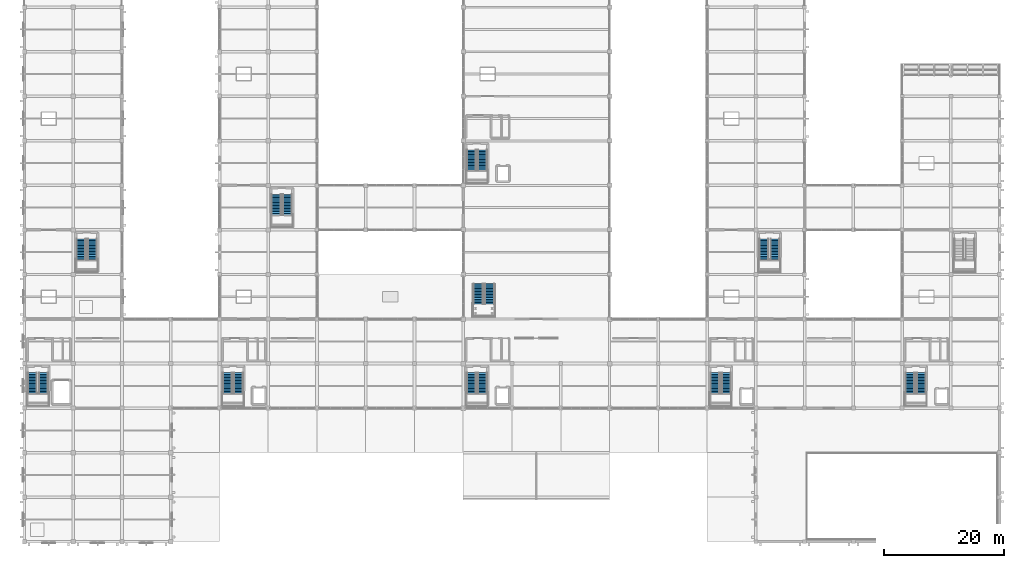
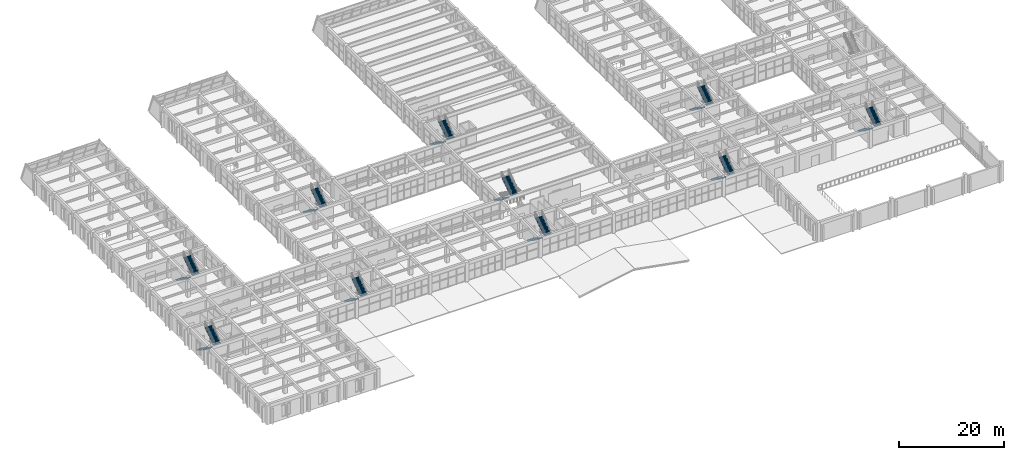
# One storey, part 153 of 161: 20 stair flights, 10 elements without a shape of their own.
"""IFC4 building model written with IfcOpenShell, lengths in metres."""

from ifc_helpers import new_model, si_unit, direction, frame, origin, place, context, subcontext, project, spatial, polyline, outline, extrude, material, type_object, element, aggregate, save


model = new_model("IFC4")

# Units and contexts
model_context = context("Model", 3, precision=1e-05, world=origin(), true_north=direction((0.0, 1.0)))
body_context = subcontext(model_context, "Body", "Model", "MODEL_VIEW")
ifc_project = project(units=[si_unit("LENGTHUNIT", "METRE"), si_unit("AREAUNIT", "SQUARE_METRE"), si_unit("VOLUMEUNIT", "CUBIC_METRE"), si_unit("PLANEANGLEUNIT", "RADIAN"), si_unit("MASSUNIT", "GRAM", prefix="KILO")], contexts=[model_context])

# Site, building, storey
site_placement = place(None, origin())
site = spatial("IfcSite", under=ifc_project, at=site_placement, CompositionType="ELEMENT")
building_placement = place(site_placement, origin())
building = spatial("IfcBuilding", under=site, at=building_placement, Name="Cimatlan Art Gallery", CompositionType="ELEMENT")
storey_placement = place(building_placement, frame((0.0, 0.0, 5.39990234375)))
storey = spatial("IfcBuildingStorey", under=building, at=storey_placement, Name="L01", CompositionType="ELEMENT", Elevation=5.39990234375)

# Stair, stair flights
ifc_material = material(Name="Concrete C35/45", Category="concrete")
stair_type_1 = type_object("IfcStairType", Name="STR-HALF-155-480", PredefinedType="HALF_TURN_STAIR", material=ifc_material)
stair_1_placement = place(storey_placement, origin())
stair_1 = element("IfcStair", 1, at=stair_1_placement, inside=storey, type_object=stair_type_1, Name="STR-C1-L01", PredefinedType="HALF_TURN_STAIR")
stair_flight_type_1 = type_object("IfcStairFlightType", Name="STF-155-14R-260", PredefinedType="STRAIGHT", material=ifc_material)
stair_flight_1_placement = place(storey_placement, frame((3.3349609375, 29.780029296875, 0.0), z_axis=(0.0, 0.0, 1.0), x_axis=(0.0, -1.0, 0.0)))
stair_flight_1 = element("IfcStairFlight", 2, at=stair_flight_1_placement, type_object=stair_flight_type_1, Name="STR-C1-L01-F1", NumberOfRisers=14, NumberOfTreads=13, PredefinedType="STRAIGHT", RiserHeight=0.171429, TreadLength=0.26, context=body_context, shape_type="SweptSolid", body=[
    extrude(outline(polyline([(0.0, 0.0), (0.0, 0.17138671875), (0.260009765625, 0.17138671875), (0.260009765625, 0.3427734375), (0.52001953125, 0.3427734375), (0.52001953125, 0.514404296875), (0.780029296875, 0.514404296875), (0.780029296875, 0.685791015625), (1.0400390625, 0.685791015625), (1.0400390625, 0.857177734375), (1.300048828125, 0.857177734375), (1.300048828125, 1.028564453125), (1.56005859375, 1.028564453125), (1.56005859375, 1.199951171875), (1.820068359375, 1.199951171875), (1.820068359375, 1.371337890625), (2.080078125, 1.371337890625), (2.080078125, 1.54296875), (2.340087890625, 1.54296875), (2.340087890625, 1.71435546875), (2.60009765625, 1.71435546875), (2.60009765625, 1.8857421875), (2.860107421875, 1.8857421875), (2.860107421875, 2.05712890625), (3.1201171875, 2.05712890625), (3.1201171875, 2.228515625), (3.3798828125, 2.228515625), (3.3798828125, 2.39990234375), (3.3798828125, 2.012939453125), (0.326904296875, 0.0), (0.0, 0.0)])), frame((0.0, 0.77490234375, 0.0), z_axis=(0.0, -1.0, 0.0), x_axis=(1.0, 0.0, 0.0)), (0.0, 0.0, 1.0), 1.550048828125),
])
stair_flight_2_placement = place(storey_placement, frame((5.205078125, 26.39990234375, 2.400146484375), z_axis=(0.0, 0.0, 1.0), x_axis=(0.0, 1.0, 0.0)))
stair_flight_2 = element("IfcStairFlight", 3, at=stair_flight_2_placement, type_object=stair_flight_type_1, Name="STR-C1-L01-F2", NumberOfRisers=14, NumberOfTreads=13, PredefinedType="STRAIGHT", RiserHeight=0.171429, TreadLength=0.26, context=body_context, shape_type="SweptSolid", body=[
    extrude(outline(polyline([(0.0, 0.0), (0.0, 0.17138671875), (0.260009765625, 0.17138671875), (0.260009765625, 0.3427734375), (0.52001953125, 0.3427734375), (0.52001953125, 0.514404296875), (0.780029296875, 0.514404296875), (0.780029296875, 0.685791015625), (1.0400390625, 0.685791015625), (1.0400390625, 0.857177734375), (1.300048828125, 0.857177734375), (1.300048828125, 1.028564453125), (1.56005859375, 1.028564453125), (1.56005859375, 1.199951171875), (1.820068359375, 1.199951171875), (1.820068359375, 1.371337890625), (2.080078125, 1.371337890625), (2.080078125, 1.54296875), (2.340087890625, 1.54296875), (2.340087890625, 1.71435546875), (2.60009765625, 1.71435546875), (2.60009765625, 1.8857421875), (2.860107421875, 1.8857421875), (2.860107421875, 2.05712890625), (3.1201171875, 2.05712890625), (3.1201171875, 2.228515625), (3.3798828125, 2.228515625), (3.3798828125, 2.39990234375), (3.3798828125, 2.012939453125), (0.326904296875, 0.0), (0.0, 0.0)])), frame((0.0, 0.77490234375, 0.0), z_axis=(0.0, -1.0, 0.0), x_axis=(1.0, 0.0, 0.0)), (0.0, 0.0, 1.0), 1.550048828125),
])
aggregate(stair_1, [stair_flight_1, stair_flight_2])

stair_2_placement = place(storey_placement, origin())
stair_2 = element("IfcStair", 4, at=stair_2_placement, inside=storey, type_object=stair_type_1, Name="STR-C2-L01", PredefinedType="HALF_TURN_STAIR")
stair_flight_3_placement = place(storey_placement, frame((35.735107421875, 29.780029296875, 0.0), z_axis=(0.0, 0.0, 1.0), x_axis=(0.0, -1.0, 0.0)))
stair_flight_3 = element("IfcStairFlight", 5, at=stair_flight_3_placement, type_object=stair_flight_type_1, Name="STR-C2-L01-F1", NumberOfRisers=14, NumberOfTreads=13, PredefinedType="STRAIGHT", RiserHeight=0.171429, TreadLength=0.26, context=body_context, shape_type="SweptSolid", body=[
    extrude(outline(polyline([(0.0, 0.0), (0.0, 0.17138671875), (0.260009765625, 0.17138671875), (0.260009765625, 0.3427734375), (0.52001953125, 0.3427734375), (0.52001953125, 0.514404296875), (0.780029296875, 0.514404296875), (0.780029296875, 0.685791015625), (1.0400390625, 0.685791015625), (1.0400390625, 0.857177734375), (1.300048828125, 0.857177734375), (1.300048828125, 1.028564453125), (1.56005859375, 1.028564453125), (1.56005859375, 1.199951171875), (1.820068359375, 1.199951171875), (1.820068359375, 1.371337890625), (2.080078125, 1.371337890625), (2.080078125, 1.54296875), (2.340087890625, 1.54296875), (2.340087890625, 1.71435546875), (2.60009765625, 1.71435546875), (2.60009765625, 1.8857421875), (2.860107421875, 1.8857421875), (2.860107421875, 2.05712890625), (3.1201171875, 2.05712890625), (3.1201171875, 2.228515625), (3.3798828125, 2.228515625), (3.3798828125, 2.39990234375), (3.3798828125, 2.012939453125), (0.326904296875, 0.0), (0.0, 0.0)])), frame((0.0, 0.77490234375, 0.0), z_axis=(0.0, -1.0, 0.0), x_axis=(1.0, 0.0, 0.0)), (0.0, 0.0, 1.0), 1.550048828125),
])
stair_flight_4_placement = place(storey_placement, frame((37.60498046875, 26.39990234375, 2.400146484375), z_axis=(0.0, 0.0, 1.0), x_axis=(0.0, 1.0, 0.0)))
stair_flight_4 = element("IfcStairFlight", 6, at=stair_flight_4_placement, type_object=stair_flight_type_1, Name="STR-C2-L01-F2", NumberOfRisers=14, NumberOfTreads=13, PredefinedType="STRAIGHT", RiserHeight=0.171429, TreadLength=0.26, context=body_context, shape_type="SweptSolid", body=[
    extrude(outline(polyline([(0.0, 0.0), (0.0, 0.17138671875), (0.260009765625, 0.17138671875), (0.260009765625, 0.3427734375), (0.52001953125, 0.3427734375), (0.52001953125, 0.514404296875), (0.780029296875, 0.514404296875), (0.780029296875, 0.685791015625), (1.0400390625, 0.685791015625), (1.0400390625, 0.857177734375), (1.300048828125, 0.857177734375), (1.300048828125, 1.028564453125), (1.56005859375, 1.028564453125), (1.56005859375, 1.199951171875), (1.820068359375, 1.199951171875), (1.820068359375, 1.371337890625), (2.080078125, 1.371337890625), (2.080078125, 1.54296875), (2.340087890625, 1.54296875), (2.340087890625, 1.71435546875), (2.60009765625, 1.71435546875), (2.60009765625, 1.8857421875), (2.860107421875, 1.8857421875), (2.860107421875, 2.05712890625), (3.1201171875, 2.05712890625), (3.1201171875, 2.228515625), (3.3798828125, 2.228515625), (3.3798828125, 2.39990234375), (3.3798828125, 2.012939453125), (0.326904296875, 0.0), (0.0, 0.0)])), frame((0.0, 0.77490234375, 0.0), z_axis=(0.0, -1.0, 0.0), x_axis=(1.0, 0.0, 0.0)), (0.0, 0.0, 1.0), 1.550048828125),
])
aggregate(stair_2, [stair_flight_3, stair_flight_4])

stair_3_placement = place(storey_placement, origin())
stair_3 = element("IfcStair", 7, at=stair_3_placement, inside=storey, type_object=stair_type_1, Name="STR-C3-L01", PredefinedType="HALF_TURN_STAIR")
stair_flight_5_placement = place(storey_placement, frame((76.235107421875, 29.780029296875, 0.0), z_axis=(0.0, 0.0, 1.0), x_axis=(0.0, -1.0, 0.0)))
stair_flight_5 = element("IfcStairFlight", 8, at=stair_flight_5_placement, type_object=stair_flight_type_1, Name="STR-C3-L01-F1", NumberOfRisers=14, NumberOfTreads=13, PredefinedType="STRAIGHT", RiserHeight=0.171429, TreadLength=0.26, context=body_context, shape_type="SweptSolid", body=[
    extrude(outline(polyline([(0.0, 0.0), (0.0, 0.17138671875), (0.260009765625, 0.17138671875), (0.260009765625, 0.3427734375), (0.52001953125, 0.3427734375), (0.52001953125, 0.514404296875), (0.780029296875, 0.514404296875), (0.780029296875, 0.685791015625), (1.0400390625, 0.685791015625), (1.0400390625, 0.857177734375), (1.300048828125, 0.857177734375), (1.300048828125, 1.028564453125), (1.56005859375, 1.028564453125), (1.56005859375, 1.199951171875), (1.820068359375, 1.199951171875), (1.820068359375, 1.371337890625), (2.080078125, 1.371337890625), (2.080078125, 1.54296875), (2.340087890625, 1.54296875), (2.340087890625, 1.71435546875), (2.60009765625, 1.71435546875), (2.60009765625, 1.8857421875), (2.860107421875, 1.8857421875), (2.860107421875, 2.05712890625), (3.1201171875, 2.05712890625), (3.1201171875, 2.228515625), (3.3798828125, 2.228515625), (3.3798828125, 2.39990234375), (3.3798828125, 2.012939453125), (0.326904296875, 0.0), (0.0, 0.0)])), frame((0.0, 0.77490234375, 0.0), z_axis=(0.0, -1.0, 0.0), x_axis=(1.0, 0.0, 0.0)), (0.0, 0.0, 1.0), 1.550048828125),
])
stair_flight_6_placement = place(storey_placement, frame((78.10498046875, 26.39990234375, 2.400146484375), z_axis=(0.0, 0.0, 1.0), x_axis=(0.0, 1.0, 0.0)))
stair_flight_6 = element("IfcStairFlight", 9, at=stair_flight_6_placement, type_object=stair_flight_type_1, Name="STR-C3-L01-F2", NumberOfRisers=14, NumberOfTreads=13, PredefinedType="STRAIGHT", RiserHeight=0.171429, TreadLength=0.26, context=body_context, shape_type="SweptSolid", body=[
    extrude(outline(polyline([(0.0, 0.0), (0.0, 0.17138671875), (0.260009765625, 0.17138671875), (0.260009765625, 0.3427734375), (0.52001953125, 0.3427734375), (0.52001953125, 0.514404296875), (0.780029296875, 0.514404296875), (0.780029296875, 0.685791015625), (1.0400390625, 0.685791015625), (1.0400390625, 0.857177734375), (1.300048828125, 0.857177734375), (1.300048828125, 1.028564453125), (1.56005859375, 1.028564453125), (1.56005859375, 1.199951171875), (1.820068359375, 1.199951171875), (1.820068359375, 1.371337890625), (2.080078125, 1.371337890625), (2.080078125, 1.54296875), (2.340087890625, 1.54296875), (2.340087890625, 1.71435546875), (2.60009765625, 1.71435546875), (2.60009765625, 1.8857421875), (2.860107421875, 1.8857421875), (2.860107421875, 2.05712890625), (3.1201171875, 2.05712890625), (3.1201171875, 2.228515625), (3.3798828125, 2.228515625), (3.3798828125, 2.39990234375), (3.3798828125, 2.012939453125), (0.326904296875, 0.0), (0.0, 0.0)])), frame((0.0, 0.77490234375, 0.0), z_axis=(0.0, -1.0, 0.0), x_axis=(1.0, 0.0, 0.0)), (0.0, 0.0, 1.0), 1.550048828125),
])
aggregate(stair_3, [stair_flight_5, stair_flight_6])

stair_4_placement = place(storey_placement, origin())
stair_4 = element("IfcStair", 10, at=stair_4_placement, inside=storey, type_object=stair_type_1, Name="STR-C4-L01", PredefinedType="HALF_TURN_STAIR")
stair_flight_7_placement = place(storey_placement, frame((116.735107421875, 29.780029296875, 0.0), z_axis=(0.0, 0.0, 1.0), x_axis=(0.0, -1.0, 0.0)))
stair_flight_7 = element("IfcStairFlight", 11, at=stair_flight_7_placement, type_object=stair_flight_type_1, Name="STR-C4-L01-F1", NumberOfRisers=14, NumberOfTreads=13, PredefinedType="STRAIGHT", RiserHeight=0.171429, TreadLength=0.26, context=body_context, shape_type="SweptSolid", body=[
    extrude(outline(polyline([(0.0, 0.0), (0.0, 0.17138671875), (0.260009765625, 0.17138671875), (0.260009765625, 0.3427734375), (0.52001953125, 0.3427734375), (0.52001953125, 0.514404296875), (0.780029296875, 0.514404296875), (0.780029296875, 0.685791015625), (1.0400390625, 0.685791015625), (1.0400390625, 0.857177734375), (1.300048828125, 0.857177734375), (1.300048828125, 1.028564453125), (1.56005859375, 1.028564453125), (1.56005859375, 1.199951171875), (1.820068359375, 1.199951171875), (1.820068359375, 1.371337890625), (2.080078125, 1.371337890625), (2.080078125, 1.54296875), (2.340087890625, 1.54296875), (2.340087890625, 1.71435546875), (2.60009765625, 1.71435546875), (2.60009765625, 1.8857421875), (2.860107421875, 1.8857421875), (2.860107421875, 2.05712890625), (3.1201171875, 2.05712890625), (3.1201171875, 2.228515625), (3.3798828125, 2.228515625), (3.3798828125, 2.39990234375), (3.3798828125, 2.012939453125), (0.326904296875, 0.0), (0.0, 0.0)])), frame((0.0, 0.77490234375, 0.0), z_axis=(0.0, -1.0, 0.0), x_axis=(1.0, 0.0, 0.0)), (0.0, 0.0, 1.0), 1.550048828125),
])
stair_flight_8_placement = place(storey_placement, frame((118.60498046875, 26.39990234375, 2.400146484375), z_axis=(0.0, 0.0, 1.0), x_axis=(0.0, 1.0, 0.0)))
stair_flight_8 = element("IfcStairFlight", 12, at=stair_flight_8_placement, type_object=stair_flight_type_1, Name="STR-C4-L01-F2", NumberOfRisers=14, NumberOfTreads=13, PredefinedType="STRAIGHT", RiserHeight=0.171429, TreadLength=0.26, context=body_context, shape_type="SweptSolid", body=[
    extrude(outline(polyline([(0.0, 0.0), (0.0, 0.17138671875), (0.260009765625, 0.17138671875), (0.260009765625, 0.3427734375), (0.52001953125, 0.3427734375), (0.52001953125, 0.514404296875), (0.780029296875, 0.514404296875), (0.780029296875, 0.685791015625), (1.0400390625, 0.685791015625), (1.0400390625, 0.857177734375), (1.300048828125, 0.857177734375), (1.300048828125, 1.028564453125), (1.56005859375, 1.028564453125), (1.56005859375, 1.199951171875), (1.820068359375, 1.199951171875), (1.820068359375, 1.371337890625), (2.080078125, 1.371337890625), (2.080078125, 1.54296875), (2.340087890625, 1.54296875), (2.340087890625, 1.71435546875), (2.60009765625, 1.71435546875), (2.60009765625, 1.8857421875), (2.860107421875, 1.8857421875), (2.860107421875, 2.05712890625), (3.1201171875, 2.05712890625), (3.1201171875, 2.228515625), (3.3798828125, 2.228515625), (3.3798828125, 2.39990234375), (3.3798828125, 2.012939453125), (0.326904296875, 0.0), (0.0, 0.0)])), frame((0.0, 0.77490234375, 0.0), z_axis=(0.0, -1.0, 0.0), x_axis=(1.0, 0.0, 0.0)), (0.0, 0.0, 1.0), 1.550048828125),
])
aggregate(stair_4, [stair_flight_7, stair_flight_8])

stair_5_placement = place(storey_placement, origin())
stair_5 = element("IfcStair", 13, at=stair_5_placement, inside=storey, type_object=stair_type_1, Name="STR-C5-L01", PredefinedType="HALF_TURN_STAIR")
stair_flight_9_placement = place(storey_placement, frame((149.135009765625, 29.780029296875, 0.0), z_axis=(0.0, 0.0, 1.0), x_axis=(0.0, -1.0, 0.0)))
stair_flight_9 = element("IfcStairFlight", 14, at=stair_flight_9_placement, type_object=stair_flight_type_1, Name="STR-C5-L01-F1", NumberOfRisers=14, NumberOfTreads=13, PredefinedType="STRAIGHT", RiserHeight=0.171429, TreadLength=0.26, context=body_context, shape_type="SweptSolid", body=[
    extrude(outline(polyline([(0.0, 0.0), (0.0, 0.17138671875), (0.260009765625, 0.17138671875), (0.260009765625, 0.3427734375), (0.52001953125, 0.3427734375), (0.52001953125, 0.514404296875), (0.780029296875, 0.514404296875), (0.780029296875, 0.685791015625), (1.0400390625, 0.685791015625), (1.0400390625, 0.857177734375), (1.300048828125, 0.857177734375), (1.300048828125, 1.028564453125), (1.56005859375, 1.028564453125), (1.56005859375, 1.199951171875), (1.820068359375, 1.199951171875), (1.820068359375, 1.371337890625), (2.080078125, 1.371337890625), (2.080078125, 1.54296875), (2.340087890625, 1.54296875), (2.340087890625, 1.71435546875), (2.60009765625, 1.71435546875), (2.60009765625, 1.8857421875), (2.860107421875, 1.8857421875), (2.860107421875, 2.05712890625), (3.1201171875, 2.05712890625), (3.1201171875, 2.228515625), (3.3798828125, 2.228515625), (3.3798828125, 2.39990234375), (3.3798828125, 2.012939453125), (0.326904296875, 0.0), (0.0, 0.0)])), frame((0.0, 0.77490234375, 0.0), z_axis=(0.0, -1.0, 0.0), x_axis=(1.0, 0.0, 0.0)), (0.0, 0.0, 1.0), 1.550048828125),
])
stair_flight_10_placement = place(storey_placement, frame((151.0048828125, 26.39990234375, 2.400146484375), z_axis=(0.0, 0.0, 1.0), x_axis=(0.0, 1.0, 0.0)))
stair_flight_10 = element("IfcStairFlight", 15, at=stair_flight_10_placement, type_object=stair_flight_type_1, Name="STR-C5-L01-F2", NumberOfRisers=14, NumberOfTreads=13, PredefinedType="STRAIGHT", RiserHeight=0.171429, TreadLength=0.26, context=body_context, shape_type="SweptSolid", body=[
    extrude(outline(polyline([(0.0, 0.0), (0.0, 0.17138671875), (0.260009765625, 0.17138671875), (0.260009765625, 0.3427734375), (0.52001953125, 0.3427734375), (0.52001953125, 0.514404296875), (0.780029296875, 0.514404296875), (0.780029296875, 0.685791015625), (1.0400390625, 0.685791015625), (1.0400390625, 0.857177734375), (1.300048828125, 0.857177734375), (1.300048828125, 1.028564453125), (1.56005859375, 1.028564453125), (1.56005859375, 1.199951171875), (1.820068359375, 1.199951171875), (1.820068359375, 1.371337890625), (2.080078125, 1.371337890625), (2.080078125, 1.54296875), (2.340087890625, 1.54296875), (2.340087890625, 1.71435546875), (2.60009765625, 1.71435546875), (2.60009765625, 1.8857421875), (2.860107421875, 1.8857421875), (2.860107421875, 2.05712890625), (3.1201171875, 2.05712890625), (3.1201171875, 2.228515625), (3.3798828125, 2.228515625), (3.3798828125, 2.39990234375), (3.3798828125, 2.012939453125), (0.326904296875, 0.0), (0.0, 0.0)])), frame((0.0, 0.77490234375, 0.0), z_axis=(0.0, -1.0, 0.0), x_axis=(1.0, 0.0, 0.0)), (0.0, 0.0, 1.0), 1.550048828125),
])
aggregate(stair_5, [stair_flight_9, stair_flight_10])

stair_6_placement = place(storey_placement, origin())
stair_6 = element("IfcStair", 16, at=stair_6_placement, inside=storey, type_object=stair_type_1, Name="STR-C6-L01", PredefinedType="HALF_TURN_STAIR")
stair_flight_11_placement = place(storey_placement, frame((76.235107421875, 66.780029296875, 0.0), z_axis=(0.0, 0.0, 1.0), x_axis=(0.0, -1.0, 0.0)))
stair_flight_11 = element("IfcStairFlight", 17, at=stair_flight_11_placement, type_object=stair_flight_type_1, Name="STR-C6-L01-F1", NumberOfRisers=14, NumberOfTreads=13, PredefinedType="STRAIGHT", RiserHeight=0.171429, TreadLength=0.26, context=body_context, shape_type="SweptSolid", body=[
    extrude(outline(polyline([(0.0, 0.0), (0.0, 0.17138671875), (0.260009765625, 0.17138671875), (0.260009765625, 0.3427734375), (0.52001953125, 0.3427734375), (0.52001953125, 0.514404296875), (0.780029296875, 0.514404296875), (0.780029296875, 0.685791015625), (1.0400390625, 0.685791015625), (1.0400390625, 0.857177734375), (1.300048828125, 0.857177734375), (1.300048828125, 1.028564453125), (1.56005859375, 1.028564453125), (1.56005859375, 1.199951171875), (1.820068359375, 1.199951171875), (1.820068359375, 1.371337890625), (2.080078125, 1.371337890625), (2.080078125, 1.54296875), (2.340087890625, 1.54296875), (2.340087890625, 1.71435546875), (2.60009765625, 1.71435546875), (2.60009765625, 1.8857421875), (2.860107421875, 1.8857421875), (2.860107421875, 2.05712890625), (3.1201171875, 2.05712890625), (3.1201171875, 2.228515625), (3.3798828125, 2.228515625), (3.3798828125, 2.39990234375), (3.3798828125, 2.012939453125), (0.326904296875, 0.0), (0.0, 0.0)])), frame((0.0, 0.77490234375, 0.0), z_axis=(0.0, -1.0, 0.0), x_axis=(1.0, 0.0, 0.0)), (0.0, 0.0, 1.0), 1.550048828125),
])
stair_flight_12_placement = place(storey_placement, frame((78.10498046875, 63.39990234375, 2.400146484375), z_axis=(0.0, 0.0, 1.0), x_axis=(0.0, 1.0, 0.0)))
stair_flight_12 = element("IfcStairFlight", 18, at=stair_flight_12_placement, type_object=stair_flight_type_1, Name="STR-C6-L01-F2", NumberOfRisers=14, NumberOfTreads=13, PredefinedType="STRAIGHT", RiserHeight=0.171429, TreadLength=0.26, context=body_context, shape_type="SweptSolid", body=[
    extrude(outline(polyline([(0.0, 0.0), (0.0, 0.17138671875), (0.260009765625, 0.17138671875), (0.260009765625, 0.3427734375), (0.52001953125, 0.3427734375), (0.52001953125, 0.514404296875), (0.780029296875, 0.514404296875), (0.780029296875, 0.685791015625), (1.0400390625, 0.685791015625), (1.0400390625, 0.857177734375), (1.300048828125, 0.857177734375), (1.300048828125, 1.028564453125), (1.56005859375, 1.028564453125), (1.56005859375, 1.199951171875), (1.820068359375, 1.199951171875), (1.820068359375, 1.371337890625), (2.080078125, 1.371337890625), (2.080078125, 1.54296875), (2.340087890625, 1.54296875), (2.340087890625, 1.71435546875), (2.60009765625, 1.71435546875), (2.60009765625, 1.8857421875), (2.860107421875, 1.8857421875), (2.860107421875, 2.05712890625), (3.1201171875, 2.05712890625), (3.1201171875, 2.228515625), (3.3798828125, 2.228515625), (3.3798828125, 2.39990234375), (3.3798828125, 2.012939453125), (0.326904296875, 0.0), (0.0, 0.0)])), frame((0.0, 0.77490234375, 0.0), z_axis=(0.0, -1.0, 0.0), x_axis=(1.0, 0.0, 0.0)), (0.0, 0.0, 1.0), 1.550048828125),
])
aggregate(stair_6, [stair_flight_11, stair_flight_12])

stair_7_placement = place(storey_placement, origin())
stair_7 = element("IfcStair", 19, at=stair_7_placement, inside=storey, type_object=stair_type_1, Name="STR-C7-L01", PredefinedType="HALF_TURN_STAIR")
stair_flight_13_placement = place(storey_placement, frame((11.43505859375, 51.97998046875, 0.0), z_axis=(0.0, 0.0, 1.0), x_axis=(0.0, -1.0, 0.0)))
stair_flight_13 = element("IfcStairFlight", 20, at=stair_flight_13_placement, type_object=stair_flight_type_1, Name="STR-C7-L01-F1", NumberOfRisers=14, NumberOfTreads=13, PredefinedType="STRAIGHT", RiserHeight=0.171429, TreadLength=0.26, context=body_context, shape_type="SweptSolid", body=[
    extrude(outline(polyline([(0.0, 0.0), (0.0, 0.17138671875), (0.260009765625, 0.17138671875), (0.260009765625, 0.3427734375), (0.52001953125, 0.3427734375), (0.52001953125, 0.514404296875), (0.780029296875, 0.514404296875), (0.780029296875, 0.685791015625), (1.0400390625, 0.685791015625), (1.0400390625, 0.857177734375), (1.300048828125, 0.857177734375), (1.300048828125, 1.028564453125), (1.56005859375, 1.028564453125), (1.56005859375, 1.199951171875), (1.820068359375, 1.199951171875), (1.820068359375, 1.371337890625), (2.080078125, 1.371337890625), (2.080078125, 1.54296875), (2.340087890625, 1.54296875), (2.340087890625, 1.71435546875), (2.60009765625, 1.71435546875), (2.60009765625, 1.8857421875), (2.860107421875, 1.8857421875), (2.860107421875, 2.05712890625), (3.1201171875, 2.05712890625), (3.1201171875, 2.228515625), (3.3798828125, 2.228515625), (3.3798828125, 2.39990234375), (3.3798828125, 2.012939453125), (0.326904296875, 0.0), (0.0, 0.0)])), frame((0.0, 0.77490234375, 0.0), z_axis=(0.0, -1.0, 0.0), x_axis=(1.0, 0.0, 0.0)), (0.0, 0.0, 1.0), 1.550048828125),
])
stair_flight_14_placement = place(storey_placement, frame((13.304931640625, 48.60009765625, 2.400146484375), z_axis=(0.0, 0.0, 1.0), x_axis=(0.0, 1.0, 0.0)))
stair_flight_14 = element("IfcStairFlight", 21, at=stair_flight_14_placement, type_object=stair_flight_type_1, Name="STR-C7-L01-F2", NumberOfRisers=14, NumberOfTreads=13, PredefinedType="STRAIGHT", RiserHeight=0.171429, TreadLength=0.26, context=body_context, shape_type="SweptSolid", body=[
    extrude(outline(polyline([(0.0, 0.0), (0.0, 0.17138671875), (0.260009765625, 0.17138671875), (0.260009765625, 0.3427734375), (0.52001953125, 0.3427734375), (0.52001953125, 0.514404296875), (0.780029296875, 0.514404296875), (0.780029296875, 0.685791015625), (1.0400390625, 0.685791015625), (1.0400390625, 0.857177734375), (1.300048828125, 0.857177734375), (1.300048828125, 1.028564453125), (1.56005859375, 1.028564453125), (1.56005859375, 1.199951171875), (1.820068359375, 1.199951171875), (1.820068359375, 1.371337890625), (2.080078125, 1.371337890625), (2.080078125, 1.54296875), (2.340087890625, 1.54296875), (2.340087890625, 1.71435546875), (2.60009765625, 1.71435546875), (2.60009765625, 1.8857421875), (2.860107421875, 1.8857421875), (2.860107421875, 2.05712890625), (3.1201171875, 2.05712890625), (3.1201171875, 2.228515625), (3.3798828125, 2.228515625), (3.3798828125, 2.39990234375), (3.3798828125, 2.012939453125), (0.326904296875, 0.0), (0.0, 0.0)])), frame((0.0, 0.77490234375, 0.0), z_axis=(0.0, -1.0, 0.0), x_axis=(1.0, 0.0, 0.0)), (0.0, 0.0, 1.0), 1.550048828125),
])
aggregate(stair_7, [stair_flight_13, stair_flight_14])

stair_8_placement = place(storey_placement, origin())
stair_8 = element("IfcStair", 22, at=stair_8_placement, inside=storey, type_object=stair_type_1, Name="STR-C8-L01", PredefinedType="HALF_TURN_STAIR")
stair_flight_15_placement = place(storey_placement, frame((43.8349609375, 59.3798828125, 0.0), z_axis=(0.0, 0.0, 1.0), x_axis=(0.0, -1.0, 0.0)))
stair_flight_15 = element("IfcStairFlight", 23, at=stair_flight_15_placement, type_object=stair_flight_type_1, Name="STR-C8-L01-F1", NumberOfRisers=14, NumberOfTreads=13, PredefinedType="STRAIGHT", RiserHeight=0.171429, TreadLength=0.26, context=body_context, shape_type="SweptSolid", body=[
    extrude(outline(polyline([(0.0, 0.0), (0.0, 0.17138671875), (0.260009765625, 0.17138671875), (0.260009765625, 0.3427734375), (0.52001953125, 0.3427734375), (0.52001953125, 0.514404296875), (0.780029296875, 0.514404296875), (0.780029296875, 0.685791015625), (1.0400390625, 0.685791015625), (1.0400390625, 0.857177734375), (1.300048828125, 0.857177734375), (1.300048828125, 1.028564453125), (1.56005859375, 1.028564453125), (1.56005859375, 1.199951171875), (1.820068359375, 1.199951171875), (1.820068359375, 1.371337890625), (2.080078125, 1.371337890625), (2.080078125, 1.54296875), (2.340087890625, 1.54296875), (2.340087890625, 1.71435546875), (2.60009765625, 1.71435546875), (2.60009765625, 1.8857421875), (2.860107421875, 1.8857421875), (2.860107421875, 2.05712890625), (3.1201171875, 2.05712890625), (3.1201171875, 2.228515625), (3.3798828125, 2.228515625), (3.3798828125, 2.39990234375), (3.3798828125, 2.012939453125), (0.326904296875, 0.0), (0.0, 0.0)])), frame((0.0, 0.77490234375, 0.0), z_axis=(0.0, -1.0, 0.0), x_axis=(1.0, 0.0, 0.0)), (0.0, 0.0, 1.0), 1.550048828125),
])
stair_flight_16_placement = place(storey_placement, frame((45.705078125, 56.0, 2.400146484375), z_axis=(0.0, 0.0, 1.0), x_axis=(0.0, 1.0, 0.0)))
stair_flight_16 = element("IfcStairFlight", 24, at=stair_flight_16_placement, type_object=stair_flight_type_1, Name="STR-C8-L01-F2", NumberOfRisers=14, NumberOfTreads=13, PredefinedType="STRAIGHT", RiserHeight=0.171429, TreadLength=0.26, context=body_context, shape_type="SweptSolid", body=[
    extrude(outline(polyline([(0.0, 0.0), (0.0, 0.17138671875), (0.260009765625, 0.17138671875), (0.260009765625, 0.3427734375), (0.52001953125, 0.3427734375), (0.52001953125, 0.514404296875), (0.780029296875, 0.514404296875), (0.780029296875, 0.685791015625), (1.0400390625, 0.685791015625), (1.0400390625, 0.857177734375), (1.300048828125, 0.857177734375), (1.300048828125, 1.028564453125), (1.56005859375, 1.028564453125), (1.56005859375, 1.199951171875), (1.820068359375, 1.199951171875), (1.820068359375, 1.371337890625), (2.080078125, 1.371337890625), (2.080078125, 1.54296875), (2.340087890625, 1.54296875), (2.340087890625, 1.71435546875), (2.60009765625, 1.71435546875), (2.60009765625, 1.8857421875), (2.860107421875, 1.8857421875), (2.860107421875, 2.05712890625), (3.1201171875, 2.05712890625), (3.1201171875, 2.228515625), (3.3798828125, 2.228515625), (3.3798828125, 2.39990234375), (3.3798828125, 2.012939453125), (0.326904296875, 0.0), (0.0, 0.0)])), frame((0.0, 0.77490234375, 0.0), z_axis=(0.0, -1.0, 0.0), x_axis=(1.0, 0.0, 0.0)), (0.0, 0.0, 1.0), 1.550048828125),
])
aggregate(stair_8, [stair_flight_15, stair_flight_16])

stair_9_placement = place(storey_placement, origin())
stair_9 = element("IfcStair", 25, at=stair_9_placement, inside=storey, type_object=stair_type_1, Name="STR-C9-L01", PredefinedType="HALF_TURN_STAIR")
stair_flight_17_placement = place(storey_placement, frame((124.8349609375, 51.97998046875, 0.0), z_axis=(0.0, 0.0, 1.0), x_axis=(0.0, -1.0, 0.0)))
stair_flight_17 = element("IfcStairFlight", 26, at=stair_flight_17_placement, type_object=stair_flight_type_1, Name="STR-C9-L01-F1", NumberOfRisers=14, NumberOfTreads=13, PredefinedType="STRAIGHT", RiserHeight=0.171429, TreadLength=0.26, context=body_context, shape_type="SweptSolid", body=[
    extrude(outline(polyline([(0.0, 0.0), (0.0, 0.17138671875), (0.260009765625, 0.17138671875), (0.260009765625, 0.3427734375), (0.52001953125, 0.3427734375), (0.52001953125, 0.514404296875), (0.780029296875, 0.514404296875), (0.780029296875, 0.685791015625), (1.0400390625, 0.685791015625), (1.0400390625, 0.857177734375), (1.300048828125, 0.857177734375), (1.300048828125, 1.028564453125), (1.56005859375, 1.028564453125), (1.56005859375, 1.199951171875), (1.820068359375, 1.199951171875), (1.820068359375, 1.371337890625), (2.080078125, 1.371337890625), (2.080078125, 1.54296875), (2.340087890625, 1.54296875), (2.340087890625, 1.71435546875), (2.60009765625, 1.71435546875), (2.60009765625, 1.8857421875), (2.860107421875, 1.8857421875), (2.860107421875, 2.05712890625), (3.1201171875, 2.05712890625), (3.1201171875, 2.228515625), (3.3798828125, 2.228515625), (3.3798828125, 2.39990234375), (3.3798828125, 2.012939453125), (0.326904296875, 0.0), (0.0, 0.0)])), frame((0.0, 0.77490234375, 0.0), z_axis=(0.0, -1.0, 0.0), x_axis=(1.0, 0.0, 0.0)), (0.0, 0.0, 1.0), 1.550048828125),
])
stair_flight_18_placement = place(storey_placement, frame((126.705078125, 48.60009765625, 2.400146484375), z_axis=(0.0, 0.0, 1.0), x_axis=(0.0, 1.0, 0.0)))
stair_flight_18 = element("IfcStairFlight", 27, at=stair_flight_18_placement, type_object=stair_flight_type_1, Name="STR-C9-L01-F2", NumberOfRisers=14, NumberOfTreads=13, PredefinedType="STRAIGHT", RiserHeight=0.171429, TreadLength=0.26, context=body_context, shape_type="SweptSolid", body=[
    extrude(outline(polyline([(0.0, 0.0), (0.0, 0.17138671875), (0.260009765625, 0.17138671875), (0.260009765625, 0.3427734375), (0.52001953125, 0.3427734375), (0.52001953125, 0.514404296875), (0.780029296875, 0.514404296875), (0.780029296875, 0.685791015625), (1.0400390625, 0.685791015625), (1.0400390625, 0.857177734375), (1.300048828125, 0.857177734375), (1.300048828125, 1.028564453125), (1.56005859375, 1.028564453125), (1.56005859375, 1.199951171875), (1.820068359375, 1.199951171875), (1.820068359375, 1.371337890625), (2.080078125, 1.371337890625), (2.080078125, 1.54296875), (2.340087890625, 1.54296875), (2.340087890625, 1.71435546875), (2.60009765625, 1.71435546875), (2.60009765625, 1.8857421875), (2.860107421875, 1.8857421875), (2.860107421875, 2.05712890625), (3.1201171875, 2.05712890625), (3.1201171875, 2.228515625), (3.3798828125, 2.228515625), (3.3798828125, 2.39990234375), (3.3798828125, 2.012939453125), (0.326904296875, 0.0), (0.0, 0.0)])), frame((0.0, 0.77490234375, 0.0), z_axis=(0.0, -1.0, 0.0), x_axis=(1.0, 0.0, 0.0)), (0.0, 0.0, 1.0), 1.550048828125),
])
aggregate(stair_9, [stair_flight_17, stair_flight_18])

stair_type_2 = type_object("IfcStairType", Name="STR-STRA-160-480", PredefinedType="STRAIGHT_RUN_STAIR", material=ifc_material)
stair_10_placement = place(storey_placement, origin())
stair_10 = element("IfcStair", 28, at=stair_10_placement, inside=storey, type_object=stair_type_2, Name="STR-FEAT-02", PredefinedType="STRAIGHT_RUN_STAIR")
stair_flight_type_2 = type_object("IfcStairFlightType", Name="STF-160-14R-260", PredefinedType="STRAIGHT", material=ifc_material)
stair_flight_19_placement = place(storey_placement, frame((77.409912109375, 44.580078125, 0.0), z_axis=(0.0, 0.0, 1.0), x_axis=(0.0, -1.0, 0.0)))
stair_flight_19 = element("IfcStairFlight", 29, at=stair_flight_19_placement, type_object=stair_flight_type_2, Name="STR-FEAT-02-F1", NumberOfRisers=14, NumberOfTreads=13, PredefinedType="STRAIGHT", RiserHeight=0.171429, TreadLength=0.26, context=body_context, shape_type="SweptSolid", body=[
    extrude(outline(polyline([(0.0, 0.0), (0.0, 0.17138671875), (0.260009765625, 0.17138671875), (0.260009765625, 0.3427734375), (0.52001953125, 0.3427734375), (0.52001953125, 0.514404296875), (0.780029296875, 0.514404296875), (0.780029296875, 0.685791015625), (1.0400390625, 0.685791015625), (1.0400390625, 0.857177734375), (1.300048828125, 0.857177734375), (1.300048828125, 1.028564453125), (1.56005859375, 1.028564453125), (1.56005859375, 1.199951171875), (1.820068359375, 1.199951171875), (1.820068359375, 1.371337890625), (2.080078125, 1.371337890625), (2.080078125, 1.54296875), (2.340087890625, 1.54296875), (2.340087890625, 1.71435546875), (2.60009765625, 1.71435546875), (2.60009765625, 1.8857421875), (2.860107421875, 1.8857421875), (2.860107421875, 2.05712890625), (3.1201171875, 2.05712890625), (3.1201171875, 2.228515625), (3.3798828125, 2.228515625), (3.3798828125, 2.39990234375), (3.3798828125, 2.012939453125), (0.326904296875, 0.0), (0.0, 0.0)])), frame((0.0, 0.800048828125, 0.0), z_axis=(0.0, -1.0, 0.0), x_axis=(1.0, 0.0, 0.0)), (0.0, 0.0, 1.0), 1.60009765625),
])
stair_flight_20_placement = place(storey_placement, frame((79.2900390625, 41.199951171875, 2.400146484375), z_axis=(0.0, 0.0, 1.0), x_axis=(0.0, 1.0, 0.0)))
stair_flight_20 = element("IfcStairFlight", 30, at=stair_flight_20_placement, type_object=stair_flight_type_2, Name="STR-FEAT-02-F2", NumberOfRisers=14, NumberOfTreads=13, PredefinedType="STRAIGHT", RiserHeight=0.171429, TreadLength=0.26, context=body_context, shape_type="SweptSolid", body=[
    extrude(outline(polyline([(0.0, 0.0), (0.0, 0.17138671875), (0.260009765625, 0.17138671875), (0.260009765625, 0.3427734375), (0.52001953125, 0.3427734375), (0.52001953125, 0.514404296875), (0.780029296875, 0.514404296875), (0.780029296875, 0.685791015625), (1.0400390625, 0.685791015625), (1.0400390625, 0.857177734375), (1.300048828125, 0.857177734375), (1.300048828125, 1.028564453125), (1.56005859375, 1.028564453125), (1.56005859375, 1.199951171875), (1.820068359375, 1.199951171875), (1.820068359375, 1.371337890625), (2.080078125, 1.371337890625), (2.080078125, 1.54296875), (2.340087890625, 1.54296875), (2.340087890625, 1.71435546875), (2.60009765625, 1.71435546875), (2.60009765625, 1.8857421875), (2.860107421875, 1.8857421875), (2.860107421875, 2.05712890625), (3.1201171875, 2.05712890625), (3.1201171875, 2.228515625), (3.3798828125, 2.228515625), (3.3798828125, 2.39990234375), (3.3798828125, 2.012939453125), (0.326904296875, 0.0), (0.0, 0.0)])), frame((0.0, 0.800048828125, 0.0), z_axis=(0.0, -1.0, 0.0), x_axis=(1.0, 0.0, 0.0)), (0.0, 0.0, 1.0), 1.60009765625),
])
aggregate(stair_10, [stair_flight_19, stair_flight_20])

save(model, "model.ifc")
